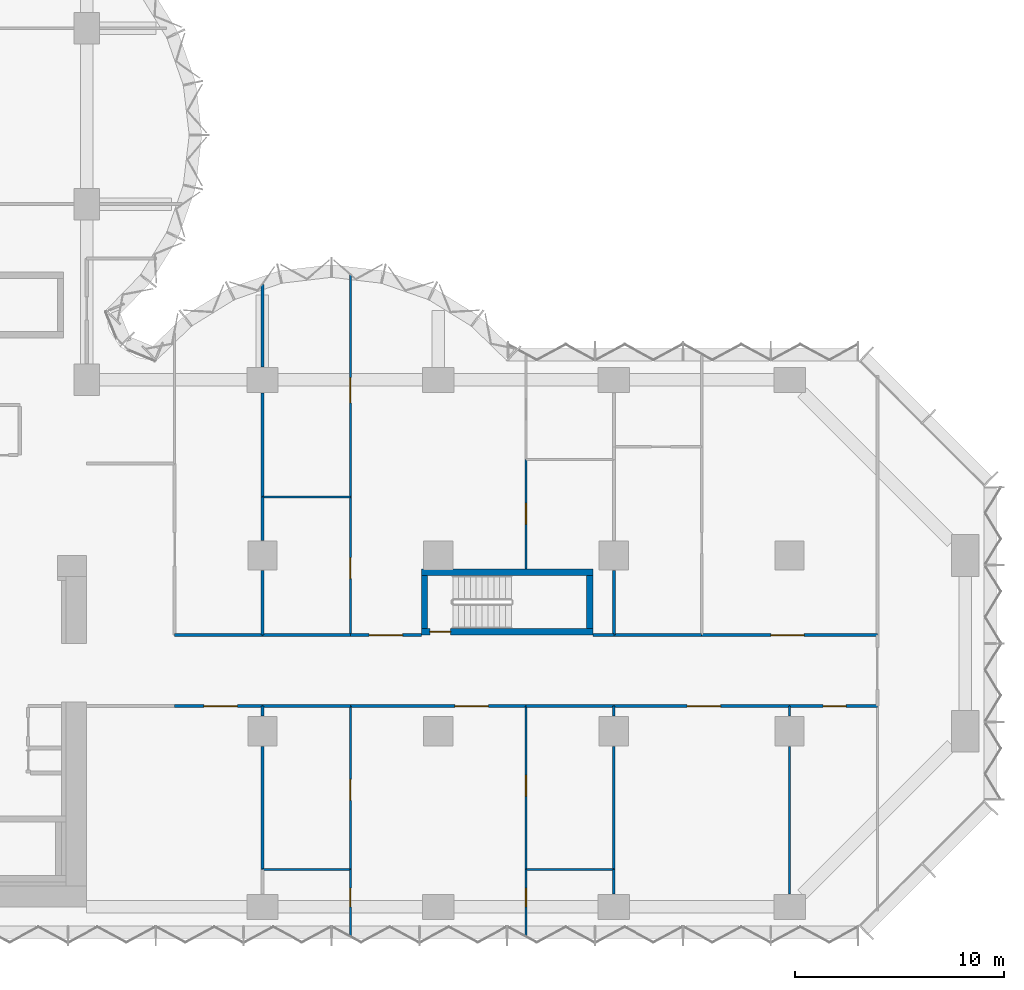
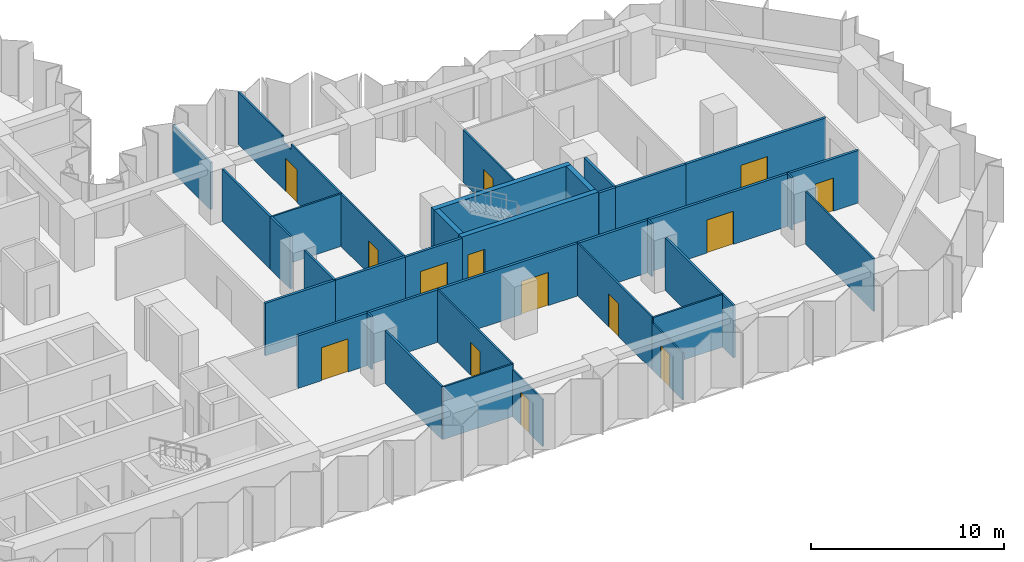
# One storey, part 10 of 15: 38 walls, 14 doors, 14 openings.
"""IFC4 building model written with IfcOpenShell, lengths in metres."""

from ifc_helpers import new_model, si_unit, direction, frame, frame_2d, origin, place, context, subcontext, project, spatial, polyline, rectangle, outline, extrude, material, layer, layer_set, type_object, element, fill, save


model = new_model("IFC4")

# Units and contexts
model_context = context("Model", 3, precision=1e-05, world=origin(), true_north=direction((0.0, 1.0)))
body_context = subcontext(model_context, "Body", "Model", "MODEL_VIEW")
ifc_project = project(units=[si_unit("LENGTHUNIT", "METRE"), si_unit("AREAUNIT", "SQUARE_METRE"), si_unit("VOLUMEUNIT", "CUBIC_METRE"), si_unit("PLANEANGLEUNIT", "RADIAN"), si_unit("MASSUNIT", "GRAM", prefix="KILO")], contexts=[model_context])

# Site, building, storey
site_placement = place(None, origin())
site = spatial("IfcSite", under=ifc_project, at=site_placement, CompositionType="ELEMENT")
building_placement = place(site_placement, origin())
building = spatial("IfcBuilding", under=site, at=building_placement, Name="Brevane Broadcast Tower", CompositionType="ELEMENT")
storey_placement = place(building_placement, frame((0.0, 0.0, 43.699951171875)))
storey = spatial("IfcBuildingStorey", under=building, at=storey_placement, Name="L08", CompositionType="ELEMENT", Elevation=43.699951171875)

# Wall, opening, door
ifc_material_1 = material(Name="Concrete C80/95", Category="concrete")
ifc_layer_1 = layer(ifc_material_1, 0.300048828125)
ifc_layer_set_1 = layer_set([ifc_layer_1], Name="Core wall 300 mm C80/95")
wall_type_1 = type_object("IfcWallType", Name="Core wall 300 mm C80/95", PredefinedType="SHEAR", material=ifc_layer_set_1)
wall_1_placement = place(storey_placement, frame((49.39990234375, 13.14990234375, 0.0), z_axis=(0.0, 0.0, 1.0), x_axis=(-1.0, 0.0, 0.0)))
wall_1 = element("IfcWall", 1, at=wall_1_placement, inside=storey, type_object=wall_type_1, Name="L08 stair wall ST-4-S", PredefinedType="SHEAR", context=body_context, shape_type="SweptSolid", body=[
    extrude(rectangle(XDim=8.199951171875, YDim=0.300048828125, at=frame_2d((4.10009765625, 0.0))), origin(), (0.0, 0.0, 1.0), 3.35009765625),
])
opening_1_placement = place(wall_1_placement, frame((6.800048828125, 0.0, 0.0)))
opening_1 = element("IfcOpeningElement", 2, at=opening_1_placement, cuts=wall_1, Name="Opening L08-K15", PredefinedType="OPENING", context=body_context, shape_type="SweptSolid", body=[
    extrude(rectangle(XDim=1.0, YDim=2.10009765625, at=frame_2d((0.5, 1.050048828125))), frame((0.0, 0.159912109375, 0.0), z_axis=(0.0, -1.0, 0.0), x_axis=(1.0, 0.0, 0.0)), (0.0, 0.0, 1.0), 0.320068359375),
])
ifc_material_2 = material(Name="Steel", Category="steel")
door_type_1 = type_object("IfcDoorType", Name="Stair door 1000 x 2100", OperationType="SINGLE_SWING_LEFT", PredefinedType="DOOR", material=ifc_material_2)
door_1_placement = place(opening_1_placement, origin())
door_1 = element("IfcDoor", 3, at=door_1_placement, inside=storey, type_object=door_type_1, Name="Door L08-K15", OperationType="SINGLE_SWING_LEFT", OverallHeight=2.10009765625, OverallWidth=1.0, PredefinedType="DOOR", context=body_context, shape_type="SweptSolid", body=[
    extrude(rectangle(XDim=1.0, YDim=2.10009765625, at=frame_2d((0.5, 1.050048828125))), frame((0.0, 0.02490234375, 0.0), z_axis=(0.0, -1.0, 0.0), x_axis=(1.0, 0.0, 0.0)), (0.0, 0.0, 1.0), 0.050048828125),
])
fill(opening_1, door_1)

# Walls
wall_2_placement = place(storey_placement, frame((41.199951171875, 16.0, 0.0), z_axis=(0.0, 0.0, 1.0), x_axis=(1.0, 0.0, 0.0)))
element("IfcWall", 4, at=wall_2_placement, inside=storey, type_object=wall_type_1, Name="L08 stair wall ST-4-N", PredefinedType="SHEAR", context=body_context, shape_type="SweptSolid", body=[
    extrude(rectangle(XDim=8.199951171875, YDim=0.300048828125, at=frame_2d((4.10009765625, 0.0))), origin(), (0.0, 0.0, 1.0), 3.35009765625),
])
for number, where, z_axis, x_axis, name in (
    (5, (41.35009765625, 13.300048828125, 0.0), (0.0, 0.0, 1.0), (0.0, 1.0, 0.0), "L08 stair wall ST-4-W"),
    (6, (49.25, 13.300048828125, 0.0), (0.0, 0.0, 1.0), (0.0, 1.0, 0.0), "L08 stair wall ST-4-E"),
):
    element("IfcWall", number, at=place(storey_placement, frame(where, z_axis=z_axis, x_axis=x_axis)), inside=storey, type_object=wall_type_1, Name=name, PredefinedType="SHEAR", context=body_context, shape_type="SweptSolid", body=[
        extrude(rectangle(XDim=2.550048828125, YDim=0.300048828125, at=frame_2d((1.27490234375, 0.0))), origin(), (0.0, 0.0, 1.0), 3.35009765625),
    ])

# Wall, opening, door
ifc_material_3 = material(Name="Gypsum board partition")
ifc_layer_2 = layer(ifc_material_3, 0.10009765625)
ifc_layer_set_2 = layer_set([ifc_layer_2], Name="PARTITION 100 STUD")
wall_type_2 = type_object("IfcWallType", Name="PARTITION 100 STUD", PredefinedType="PARTITIONING", material=ifc_layer_set_2)
wall_3_placement = place(storey_placement, frame((46.199951171875, 1.800048828125, 0.0), z_axis=(0.0, 0.0, 1.0), x_axis=(0.0, -1.0, 0.0)))
wall_3 = element("IfcWall", 7, at=wall_3_placement, inside=storey, type_object=wall_type_2, Name="Partition G01-025", PredefinedType="PARTITIONING", context=body_context, shape_type="SweptSolid", body=[
    extrude(rectangle(XDim=3.1650390625, YDim=0.10009765625, at=frame_2d((1.58251953125, 0.0))), origin(), (0.0, 0.0, 1.0), 2.97998046875),
])
opening_2_placement = place(wall_3_placement, frame((0.89990234375, 0.0, 0.0)))
opening_2 = element("IfcOpeningElement", 8, at=opening_2_placement, cuts=wall_3, Name="Opening D07-005", PredefinedType="OPENING", context=body_context, shape_type="SweptSolid", body=[
    extrude(rectangle(XDim=0.89990234375, YDim=2.10009765625, at=frame_2d((0.449951171875, 1.050048828125))), frame((0.0, 0.06005859375, 0.0), z_axis=(0.0, -1.0, 0.0), x_axis=(1.0, 0.0, 0.0)), (0.0, 0.0, 1.0), 0.1201171875),
])
ifc_material_4 = material(Name="Timber door leaf", Category="wood")
door_type_2 = type_object("IfcDoorType", Name="DOOR SINGLE 900 INTERNAL", OperationType="SINGLE_SWING_LEFT", PredefinedType="DOOR", material=ifc_material_4)
door_2_placement = place(opening_2_placement, origin())
door_2 = element("IfcDoor", 9, at=door_2_placement, inside=storey, type_object=door_type_2, Name="Door D07-005", OperationType="SINGLE_SWING_LEFT", OverallHeight=2.10009765625, OverallWidth=0.89990234375, PredefinedType="DOOR", context=body_context, shape_type="SweptSolid", body=[
    extrude(rectangle(XDim=0.89990234375, YDim=2.10009765625, at=frame_2d((0.449951171875, 1.050048828125))), frame((0.0, 0.02490234375, 0.0), z_axis=(0.0, -1.0, 0.0), x_axis=(1.0, 0.0, 0.0)), (0.0, 0.0, 1.0), 0.050048828125),
])
fill(opening_2, door_2)

wall_4_placement = place(storey_placement, frame((46.199951171875, 9.60009765625, 0.0), z_axis=(0.0, 0.0, 1.0), x_axis=(0.0, -1.0, 0.0)))
wall_4 = element("IfcWall", 10, at=wall_4_placement, inside=storey, type_object=wall_type_2, Name="Partition G01-026", PredefinedType="PARTITIONING", context=body_context, shape_type="SweptSolid", body=[
    extrude(rectangle(XDim=7.800048828125, YDim=0.10009765625, at=frame_2d((3.89990234375, 0.0))), origin(), (0.0, 0.0, 1.0), 3.330078125),
])
opening_3_placement = place(wall_4_placement, frame((3.300048828125, 0.0, 0.0)))
opening_3 = element("IfcOpeningElement", 11, at=opening_3_placement, cuts=wall_4, Name="Opening D07-006", PredefinedType="OPENING", context=body_context, shape_type="SweptSolid", body=[
    extrude(rectangle(XDim=1.0, YDim=2.10009765625, at=frame_2d((0.5, 1.050048828125))), frame((0.0, 0.06005859375, 0.0), z_axis=(0.0, -1.0, 0.0), x_axis=(1.0, 0.0, 0.0)), (0.0, 0.0, 1.0), 0.1201171875),
])
door_type_3 = type_object("IfcDoorType", Name="DOOR SINGLE 1000 INTERNAL", OperationType="SINGLE_SWING_LEFT", PredefinedType="DOOR", material=ifc_material_4)
door_3_placement = place(opening_3_placement, origin())
door_3 = element("IfcDoor", 12, at=door_3_placement, inside=storey, type_object=door_type_3, Name="Door D07-006", OperationType="SINGLE_SWING_LEFT", OverallHeight=2.10009765625, OverallWidth=1.0, PredefinedType="DOOR", context=body_context, shape_type="SweptSolid", body=[
    extrude(rectangle(XDim=1.0, YDim=2.10009765625, at=frame_2d((0.5, 1.050048828125))), frame((0.0, 0.02490234375, 0.0), z_axis=(0.0, -1.0, 0.0), x_axis=(1.0, 0.0, 0.0)), (0.0, 0.0, 1.0), 0.050048828125),
])
fill(opening_3, door_3)

wall_5_placement = place(storey_placement, frame((37.800048828125, -1.364990234375, 0.0), z_axis=(0.0, 0.0, 1.0), x_axis=(0.0, 1.0, 0.0)))
wall_5 = element("IfcWall", 13, at=wall_5_placement, inside=storey, type_object=wall_type_2, Name="Partition G01-027", PredefinedType="PARTITIONING", context=body_context, shape_type="SweptSolid", body=[
    extrude(rectangle(XDim=3.1650390625, YDim=0.10009765625, at=frame_2d((1.58251953125, 0.0))), origin(), (0.0, 0.0, 1.0), 2.97998046875),
])
opening_4_placement = place(wall_5_placement, frame((1.364990234375, 0.0, 0.0)))
opening_4 = element("IfcOpeningElement", 14, at=opening_4_placement, cuts=wall_5, Name="Opening D07-007", PredefinedType="OPENING", context=body_context, shape_type="SweptSolid", body=[
    extrude(rectangle(XDim=0.89990234375, YDim=2.10009765625, at=frame_2d((0.449951171875, 1.050048828125))), frame((0.0, 0.06005859375, 0.0), z_axis=(0.0, -1.0, 0.0), x_axis=(1.0, 0.0, 0.0)), (0.0, 0.0, 1.0), 0.1201171875),
])
door_4_placement = place(opening_4_placement, origin())
door_4 = element("IfcDoor", 15, at=door_4_placement, inside=storey, type_object=door_type_2, Name="Door D07-007", OperationType="SINGLE_SWING_LEFT", OverallHeight=2.10009765625, OverallWidth=0.89990234375, PredefinedType="DOOR", context=body_context, shape_type="SweptSolid", body=[
    extrude(rectangle(XDim=0.89990234375, YDim=2.10009765625, at=frame_2d((0.449951171875, 1.050048828125))), frame((0.0, 0.02490234375, 0.0), z_axis=(0.0, -1.0, 0.0), x_axis=(1.0, 0.0, 0.0)), (0.0, 0.0, 1.0), 0.050048828125),
])
fill(opening_4, door_4)

wall_6_placement = place(storey_placement, frame((37.800048828125, 1.800048828125, 0.0), z_axis=(0.0, 0.0, 1.0), x_axis=(0.0, 1.0, 0.0)))
wall_6 = element("IfcWall", 16, at=wall_6_placement, inside=storey, type_object=wall_type_2, Name="Partition G01-028", PredefinedType="PARTITIONING", context=body_context, shape_type="SweptSolid", body=[
    extrude(rectangle(XDim=7.800048828125, YDim=0.10009765625, at=frame_2d((3.89990234375, 0.0))), origin(), (0.0, 0.0, 1.0), 3.330078125),
])
opening_5_placement = place(wall_6_placement, frame((3.300048828125, 0.0, 0.0)))
opening_5 = element("IfcOpeningElement", 17, at=opening_5_placement, cuts=wall_6, Name="Opening D07-008", PredefinedType="OPENING", context=body_context, shape_type="SweptSolid", body=[
    extrude(rectangle(XDim=1.0, YDim=2.10009765625, at=frame_2d((0.5, 1.050048828125))), frame((0.0, 0.06005859375, 0.0), z_axis=(0.0, -1.0, 0.0), x_axis=(1.0, 0.0, 0.0)), (0.0, 0.0, 1.0), 0.1201171875),
])
door_5_placement = place(opening_5_placement, origin())
door_5 = element("IfcDoor", 18, at=door_5_placement, inside=storey, type_object=door_type_3, Name="Door D07-008", OperationType="SINGLE_SWING_LEFT", OverallHeight=2.10009765625, OverallWidth=1.0, PredefinedType="DOOR", context=body_context, shape_type="SweptSolid", body=[
    extrude(rectangle(XDim=1.0, YDim=2.10009765625, at=frame_2d((0.5, 1.050048828125))), frame((0.0, 0.02490234375, 0.0), z_axis=(0.0, -1.0, 0.0), x_axis=(1.0, 0.0, 0.0)), (0.0, 0.0, 1.0), 0.050048828125),
])
fill(opening_5, door_5)

# Walls
for number, where, z_axis, x_axis, name in (
    (19, (46.199951171875, 1.800048828125, 0.0), (0.0, 0.0, 1.0), (1.0, 0.0, 0.0), "Partition G01-029"),
    (20, (33.60009765625, 1.800048828125, 0.0), (0.0, 0.0, 1.0), (1.0, 0.0, 0.0), "Partition G01-033"),
):
    element("IfcWall", number, at=place(storey_placement, frame(where, z_axis=z_axis, x_axis=x_axis)), inside=storey, type_object=wall_type_2, Name=name, PredefinedType="PARTITIONING", context=body_context, shape_type="SweptSolid", body=[
        extrude(rectangle(XDim=4.199951171875, YDim=0.10009765625, at=frame_2d((2.10009765625, 0.0))), origin(), (0.0, 0.0, 1.0), 3.330078125),
    ])
wall_7_placement = place(storey_placement, frame((58.800048828125, 9.60009765625, 0.0), z_axis=(0.0, 0.0, 1.0), x_axis=(0.0, -1.0, 0.0)))
element("IfcWall", 21, at=wall_7_placement, inside=storey, type_object=wall_type_2, Name="Partition G01-034", PredefinedType="PARTITIONING", context=body_context, shape_type="SweptSolid", body=[
    extrude(rectangle(XDim=0.47998046875, YDim=0.10009765625, at=frame_2d((0.239990234375, 0.0))), origin(), (0.0, 0.0, 1.0), 3.330078125),
])
wall_8_placement = place(storey_placement, frame((58.800048828125, 7.679931640625, 0.0), z_axis=(0.0, 0.0, 1.0), x_axis=(0.0, -1.0, 0.0)))
element("IfcWall", 22, at=wall_8_placement, inside=storey, type_object=wall_type_2, Name="Partition G01-035", PredefinedType="PARTITIONING", context=body_context, shape_type="SweptSolid", body=[
    extrude(rectangle(XDim=7.059814453125, YDim=0.10009765625, at=frame_2d((3.52978515625, 0.0))), origin(), (0.0, 0.0, 1.0), 3.330078125),
])

# Wall, opening, door
wall_9_placement = place(storey_placement, frame((46.199951171875, 21.39990234375, 0.0), z_axis=(0.0, 0.0, 1.0), x_axis=(0.0, -1.0, 0.0)))
wall_9 = element("IfcWall", 23, at=wall_9_placement, inside=storey, type_object=wall_type_2, Name="Partition G01-040", PredefinedType="PARTITIONING", context=body_context, shape_type="SweptSolid", body=[
    extrude(rectangle(XDim=5.25, YDim=0.10009765625, at=frame_2d((2.625, 0.0))), origin(), (0.0, 0.0, 1.0), 3.330078125),
])
opening_6_placement = place(wall_9_placement, frame((2.10009765625, 0.0, 0.0)))
opening_6 = element("IfcOpeningElement", 24, at=opening_6_placement, cuts=wall_9, Name="Opening D07-013", PredefinedType="OPENING", context=body_context, shape_type="SweptSolid", body=[
    extrude(rectangle(XDim=1.0, YDim=2.10009765625, at=frame_2d((0.5, 1.050048828125))), frame((0.0, 0.06005859375, 0.0), z_axis=(0.0, -1.0, 0.0), x_axis=(1.0, 0.0, 0.0)), (0.0, 0.0, 1.0), 0.1201171875),
])
door_6_placement = place(opening_6_placement, origin())
door_6 = element("IfcDoor", 25, at=door_6_placement, inside=storey, type_object=door_type_3, Name="Door D07-013", OperationType="SINGLE_SWING_LEFT", OverallHeight=2.10009765625, OverallWidth=1.0, PredefinedType="DOOR", context=body_context, shape_type="SweptSolid", body=[
    extrude(rectangle(XDim=1.0, YDim=2.10009765625, at=frame_2d((0.5, 1.050048828125))), frame((0.0, 0.02490234375, 0.0), z_axis=(0.0, -1.0, 0.0), x_axis=(1.0, 0.0, 0.0)), (0.0, 0.0, 1.0), 0.050048828125),
])
fill(opening_6, door_6)

wall_10_placement = place(storey_placement, frame((37.800048828125, 13.0, 0.0), z_axis=(0.0, 0.0, 1.0), x_axis=(0.0, 1.0, 0.0)))
wall_10 = element("IfcWall", 26, at=wall_10_placement, inside=storey, type_object=wall_type_2, Name="Partition G01-042", PredefinedType="PARTITIONING", context=body_context, shape_type="SweptSolid", body=[
    extrude(rectangle(XDim=6.60009765625, YDim=0.10009765625, at=frame_2d((3.300048828125, 0.0))), origin(), (0.0, 0.0, 1.0), 3.330078125),
])
opening_7_placement = place(wall_10_placement, frame((2.699951171875, 0.0, 0.0)))
opening_7 = element("IfcOpeningElement", 27, at=opening_7_placement, cuts=wall_10, Name="Opening D07-015", PredefinedType="OPENING", context=body_context, shape_type="SweptSolid", body=[
    extrude(rectangle(XDim=1.0, YDim=2.10009765625, at=frame_2d((0.5, 1.050048828125))), frame((0.0, 0.06005859375, 0.0), z_axis=(0.0, -1.0, 0.0), x_axis=(1.0, 0.0, 0.0)), (0.0, 0.0, 1.0), 0.1201171875),
])
door_7_placement = place(opening_7_placement, origin())
door_7 = element("IfcDoor", 28, at=door_7_placement, inside=storey, type_object=door_type_3, Name="Door D07-015", OperationType="SINGLE_SWING_LEFT", OverallHeight=2.10009765625, OverallWidth=1.0, PredefinedType="DOOR", context=body_context, shape_type="SweptSolid", body=[
    extrude(rectangle(XDim=1.0, YDim=2.10009765625, at=frame_2d((0.5, 1.050048828125))), frame((0.0, 0.02490234375, 0.0), z_axis=(0.0, -1.0, 0.0), x_axis=(1.0, 0.0, 0.0)), (0.0, 0.0, 1.0), 0.050048828125),
])
fill(opening_7, door_7)

wall_11_placement = place(storey_placement, frame((37.800048828125, 19.60009765625, 0.0), z_axis=(0.0, 0.0, 1.0), x_axis=(0.0, 1.0, 0.0)))
wall_11 = element("IfcWall", 29, at=wall_11_placement, inside=storey, type_object=wall_type_2, Name="Partition G01-043", PredefinedType="PARTITIONING", context=body_context, shape_type="SweptSolid", body=[
    extrude(outline(polyline([(0.0, 0.0), (10.642578125, 0.0), (10.642822265625, 3.330078125), (6.050048828125, 3.330078125), (6.048095703125, 2.97998046875), (5.152099609375, 2.97998046875), (5.14990234375, 3.330078125), (0.0, 3.330078125), (0.0, 0.0)])), frame((0.0, 0.050048828125, 0.0), z_axis=(0.0, -1.0, 0.0), x_axis=(1.0, 0.0, 0.0)), (0.0, 0.0, 1.0), 0.10009765625),
])
opening_8_placement = place(wall_11_placement, frame((4.5, 0.0, 0.0)))
opening_8 = element("IfcOpeningElement", 30, at=opening_8_placement, cuts=wall_11, Name="Opening D07-016", PredefinedType="OPENING", context=body_context, shape_type="SweptSolid", body=[
    extrude(rectangle(XDim=1.199951171875, YDim=2.10009765625, at=frame_2d((0.60009765625, 1.050048828125))), frame((0.0, 0.06005859375, 0.0), z_axis=(0.0, -1.0, 0.0), x_axis=(1.0, 0.0, 0.0)), (0.0, 0.0, 1.0), 0.1201171875),
])
door_type_4 = type_object("IfcDoorType", Name="DOOR SINGLE 1200 INTERNAL", OperationType="SINGLE_SWING_LEFT", PredefinedType="DOOR", material=ifc_material_4)
door_8_placement = place(opening_8_placement, origin())
door_8 = element("IfcDoor", 31, at=door_8_placement, inside=storey, type_object=door_type_4, Name="Door D07-016", OperationType="SINGLE_SWING_LEFT", OverallHeight=2.10009765625, OverallWidth=1.199951171875, PredefinedType="DOOR", context=body_context, shape_type="SweptSolid", body=[
    extrude(rectangle(XDim=1.199951171875, YDim=2.10009765625, at=frame_2d((0.60009765625, 1.050048828125))), frame((0.0, 0.02490234375, 0.0), z_axis=(0.0, -1.0, 0.0), x_axis=(1.0, 0.0, 0.0)), (0.0, 0.0, 1.0), 0.050048828125),
])
fill(opening_8, door_8)

# Walls
wall_12_placement = place(storey_placement, frame((33.60009765625, 19.60009765625, 0.0), z_axis=(0.0, 0.0, 1.0), x_axis=(1.0, 0.0, 0.0)))
element("IfcWall", 32, at=wall_12_placement, inside=storey, type_object=wall_type_2, Name="Partition G01-049", PredefinedType="PARTITIONING", context=body_context, shape_type="SweptSolid", body=[
    extrude(rectangle(XDim=4.199951171875, YDim=0.10009765625, at=frame_2d((2.10009765625, 0.0))), origin(), (0.0, 0.0, 1.0), 3.330078125),
])
ifc_layer_3 = layer(ifc_material_3, 0.125)
ifc_layer_set_3 = layer_set([ifc_layer_3], Name="PARTITION 125 ACOUSTIC")
wall_type_3 = type_object("IfcWallType", Name="PARTITION 125 ACOUSTIC", PredefinedType="PARTITIONING", material=ifc_layer_set_3)
wall_13_placement = place(storey_placement, frame((33.60009765625, 9.60009765625, 0.0), z_axis=(0.0, 0.0, 1.0), x_axis=(0.0, -1.0, 0.0)))
element("IfcWall", 33, at=wall_13_placement, inside=storey, type_object=wall_type_3, Name="Partition G01-023", PredefinedType="PARTITIONING", context=body_context, shape_type="SweptSolid", body=[
    extrude(rectangle(XDim=0.47998046875, YDim=0.125, at=frame_2d((0.239990234375, 0.0))), origin(), (0.0, 0.0, 1.0), 3.330078125),
])
wall_14_placement = place(storey_placement, frame((33.60009765625, 7.679931640625, 0.0), z_axis=(0.0, 0.0, 1.0), x_axis=(0.0, -1.0, 0.0)))
element("IfcWall", 34, at=wall_14_placement, inside=storey, type_object=wall_type_3, Name="Partition G01-024", PredefinedType="PARTITIONING", context=body_context, shape_type="SweptSolid", body=[
    extrude(rectangle(XDim=5.8798828125, YDim=0.125, at=frame_2d((2.93994140625, 0.0))), origin(), (0.0, 0.0, 1.0), 3.330078125),
])
wall_15_placement = place(storey_placement, frame((50.39990234375, 1.800048828125, 0.0), z_axis=(0.0, 0.0, 1.0), x_axis=(0.0, -1.0, 0.0)))
element("IfcWall", 35, at=wall_15_placement, inside=storey, type_object=wall_type_3, Name="Partition G01-030", PredefinedType="PARTITIONING", context=body_context, shape_type="SweptSolid", body=[
    extrude(rectangle(XDim=1.179931640625, YDim=0.125, at=frame_2d((0.58984375, 0.0))), origin(), (0.0, 0.0, 1.0), 3.330078125),
])
wall_16_placement = place(storey_placement, frame((50.39990234375, 9.60009765625, 0.0), z_axis=(0.0, 0.0, 1.0), x_axis=(0.0, -1.0, 0.0)))
element("IfcWall", 36, at=wall_16_placement, inside=storey, type_object=wall_type_3, Name="Partition G01-031", PredefinedType="PARTITIONING", context=body_context, shape_type="SweptSolid", body=[
    extrude(rectangle(XDim=0.47998046875, YDim=0.125, at=frame_2d((0.239990234375, 0.0))), origin(), (0.0, 0.0, 1.0), 3.330078125),
])
wall_17_placement = place(storey_placement, frame((50.39990234375, 7.679931640625, 0.0), z_axis=(0.0, 0.0, 1.0), x_axis=(0.0, -1.0, 0.0)))
element("IfcWall", 37, at=wall_17_placement, inside=storey, type_object=wall_type_3, Name="Partition G01-032", PredefinedType="PARTITIONING", context=body_context, shape_type="SweptSolid", body=[
    extrude(rectangle(XDim=5.8798828125, YDim=0.125, at=frame_2d((2.93994140625, 0.0))), origin(), (0.0, 0.0, 1.0), 3.330078125),
])
wall_18_placement = place(storey_placement, frame((33.60009765625, 19.60009765625, 0.0), z_axis=(0.0, 0.0, 1.0), x_axis=(0.0, -1.0, 0.0)))
element("IfcWall", 38, at=wall_18_placement, inside=storey, type_object=wall_type_3, Name="Partition G01-036", PredefinedType="PARTITIONING", context=body_context, shape_type="SweptSolid", body=[
    extrude(rectangle(XDim=2.080078125, YDim=0.125, at=frame_2d((1.0400390625, 0.0))), origin(), (0.0, 0.0, 1.0), 3.330078125),
])
wall_19_placement = place(storey_placement, frame((33.60009765625, 16.080078125, 0.0), z_axis=(0.0, 0.0, 1.0), x_axis=(0.0, -1.0, 0.0)))
element("IfcWall", 39, at=wall_19_placement, inside=storey, type_object=wall_type_3, Name="Partition G01-037", PredefinedType="PARTITIONING", context=body_context, shape_type="SweptSolid", body=[
    extrude(rectangle(XDim=3.080078125, YDim=0.125, at=frame_2d((1.5400390625, 0.0))), origin(), (0.0, 0.0, 1.0), 3.330078125),
])
wall_20_placement = place(storey_placement, frame((33.60009765625, 29.761962890625, 0.0), z_axis=(0.0, 0.0, 1.0), x_axis=(0.0, -1.0, 0.0)))
element("IfcWall", 40, at=wall_20_placement, inside=storey, type_object=wall_type_3, Name="Partition G01-038", PredefinedType="PARTITIONING", context=body_context, shape_type="SweptSolid", body=[
    extrude(rectangle(XDim=3.94189453125, YDim=0.125, at=frame_2d((1.970947265625, 0.0))), origin(), (0.0, 0.0, 1.0), 2.97998046875),
])
wall_21_placement = place(storey_placement, frame((33.60009765625, 24.580078125, 0.0), z_axis=(0.0, 0.0, 1.0), x_axis=(0.0, -1.0, 0.0)))
element("IfcWall", 41, at=wall_21_placement, inside=storey, type_object=wall_type_3, Name="Partition G01-039", PredefinedType="PARTITIONING", context=body_context, shape_type="SweptSolid", body=[
    extrude(rectangle(XDim=4.97998046875, YDim=0.125, at=frame_2d((2.489990234375, 0.0))), origin(), (0.0, 0.0, 1.0), 3.330078125),
])

# Wall, opening, door
ifc_layer_4 = layer(ifc_material_3, 0.14990234375)
ifc_layer_set_4 = layer_set([ifc_layer_4], Name="PARTITION 150 EI 60")
wall_type_4 = type_object("IfcWallType", Name="PARTITION 150 EI 60", PredefinedType="PARTITIONING", material=ifc_layer_set_4)
wall_22_placement = place(storey_placement, frame((33.60009765625, 9.60009765625, 0.0), z_axis=(0.0, 0.0, 1.0), x_axis=(-1.0, 0.0, 0.0)))
wall_22 = element("IfcWall", 42, at=wall_22_placement, inside=storey, type_object=wall_type_4, Name="Partition G01-008", PredefinedType="PARTITIONING", context=body_context, shape_type="SweptSolid", body=[
    extrude(rectangle(XDim=4.2001953125, YDim=0.14990234375, at=frame_2d((2.10009765625, 0.0))), origin(), (0.0, 0.0, 1.0), 3.330078125),
])
opening_9_placement = place(wall_22_placement, frame((1.199951171875, 0.0, 0.0)))
opening_9 = element("IfcOpeningElement", 43, at=opening_9_placement, cuts=wall_22, Name="Opening D07-003", PredefinedType="OPENING", context=body_context, shape_type="SweptSolid", body=[
    extrude(rectangle(XDim=1.60009765625, YDim=2.10009765625, at=frame_2d((0.800048828125, 1.050048828125))), frame((0.0, 0.0849609375, 0.0), z_axis=(0.0, -1.0, 0.0), x_axis=(1.0, 0.0, 0.0)), (0.0, 0.0, 1.0), 0.169921875),
])
ifc_material_5 = material(Name="Fire-rated timber door leaf", Category="wood")
door_type_5 = type_object("IfcDoorType", Name="DOOR DOUBLE 1600 FD30S", OperationType="DOUBLE_DOOR_SINGLE_SWING", PredefinedType="DOOR", material=ifc_material_5)
door_9_placement = place(opening_9_placement, origin())
door_9 = element("IfcDoor", 44, at=door_9_placement, inside=storey, type_object=door_type_5, Name="Door D07-003", OperationType="DOUBLE_DOOR_SINGLE_SWING", OverallHeight=2.10009765625, OverallWidth=1.60009765625, PredefinedType="DOOR", context=body_context, shape_type="SweptSolid", body=[
    extrude(rectangle(XDim=1.60009765625, YDim=2.10009765625, at=frame_2d((0.800048828125, 1.050048828125))), frame((0.0, 0.02490234375, 0.0), z_axis=(0.0, -1.0, 0.0), x_axis=(1.0, 0.0, 0.0)), (0.0, 0.0, 1.0), 0.050048828125),
])
fill(opening_9, door_9)

wall_23_placement = place(storey_placement, frame((46.199951171875, 9.60009765625, 0.0), z_axis=(0.0, 0.0, 1.0), x_axis=(-1.0, 0.0, 0.0)))
wall_23 = element("IfcWall", 45, at=wall_23_placement, inside=storey, type_object=wall_type_4, Name="Partition G01-009", PredefinedType="PARTITIONING", context=body_context, shape_type="SweptSolid", body=[
    extrude(rectangle(XDim=8.39990234375, YDim=0.14990234375, at=frame_2d((4.199951171875, 0.0))), origin(), (0.0, 0.0, 1.0), 3.330078125),
])
opening_10_placement = place(wall_23_placement, frame((1.800048828125, 0.0, 0.0)))
opening_10 = element("IfcOpeningElement", 46, at=opening_10_placement, cuts=wall_23, Name="Opening D07-004", PredefinedType="OPENING", context=body_context, shape_type="SweptSolid", body=[
    extrude(rectangle(XDim=1.60009765625, YDim=2.10009765625, at=frame_2d((0.800048828125, 1.050048828125))), frame((0.0, 0.0849609375, 0.0), z_axis=(0.0, -1.0, 0.0), x_axis=(1.0, 0.0, 0.0)), (0.0, 0.0, 1.0), 0.169921875),
])
door_10_placement = place(opening_10_placement, origin())
door_10 = element("IfcDoor", 47, at=door_10_placement, inside=storey, type_object=door_type_5, Name="Door D07-004", OperationType="DOUBLE_DOOR_SINGLE_SWING", OverallHeight=2.10009765625, OverallWidth=1.60009765625, PredefinedType="DOOR", context=body_context, shape_type="SweptSolid", body=[
    extrude(rectangle(XDim=1.60009765625, YDim=2.10009765625, at=frame_2d((0.800048828125, 1.050048828125))), frame((0.0, 0.02490234375, 0.0), z_axis=(0.0, -1.0, 0.0), x_axis=(1.0, 0.0, 0.0)), (0.0, 0.0, 1.0), 0.050048828125),
])
fill(opening_10, door_10)

# Walls
for number, where, z_axis, x_axis, name in (
    (48, (50.39990234375, 9.60009765625, 0.0), (0.0, 0.0, 1.0), (-1.0, 0.0, 0.0), "Partition G01-010"),
    (49, (37.800048828125, 9.60009765625, 0.0), (0.0, 0.0, 1.0), (-1.0, 0.0, 0.0), "Partition G01-011"),
):
    element("IfcWall", number, at=place(storey_placement, frame(where, z_axis=z_axis, x_axis=x_axis)), inside=storey, type_object=wall_type_4, Name=name, PredefinedType="PARTITIONING", context=body_context, shape_type="SweptSolid", body=[
        extrude(rectangle(XDim=4.199951171875, YDim=0.14990234375, at=frame_2d((2.10009765625, 0.0))), origin(), (0.0, 0.0, 1.0), 3.330078125),
    ])

# Wall, opening, door
wall_24_placement = place(storey_placement, frame((58.800048828125, 9.60009765625, 0.0), z_axis=(0.0, 0.0, 1.0), x_axis=(-1.0, 0.0, 0.0)))
wall_24 = element("IfcWall", 50, at=wall_24_placement, inside=storey, type_object=wall_type_4, Name="Partition G01-012", PredefinedType="PARTITIONING", context=body_context, shape_type="SweptSolid", body=[
    extrude(rectangle(XDim=8.400146484375, YDim=0.14990234375, at=frame_2d((4.2001953125, 0.0))), origin(), (0.0, 0.0, 1.0), 3.330078125),
])
opening_11_placement = place(wall_24_placement, frame((3.300048828125, 0.0, 0.0)))
opening_11 = element("IfcOpeningElement", 51, at=opening_11_placement, cuts=wall_24, Name="Opening D07-009", PredefinedType="OPENING", context=body_context, shape_type="SweptSolid", body=[
    extrude(rectangle(XDim=1.60009765625, YDim=2.10009765625, at=frame_2d((0.800048828125, 1.050048828125))), frame((0.0, 0.0849609375, 0.0), z_axis=(0.0, -1.0, 0.0), x_axis=(1.0, 0.0, 0.0)), (0.0, 0.0, 1.0), 0.169921875),
])
door_11_placement = place(opening_11_placement, origin())
door_11 = element("IfcDoor", 52, at=door_11_placement, inside=storey, type_object=door_type_5, Name="Door D07-009", OperationType="DOUBLE_DOOR_SINGLE_SWING", OverallHeight=2.10009765625, OverallWidth=1.60009765625, PredefinedType="DOOR", context=body_context, shape_type="SweptSolid", body=[
    extrude(rectangle(XDim=1.60009765625, YDim=2.10009765625, at=frame_2d((0.800048828125, 1.050048828125))), frame((0.0, 0.02490234375, 0.0), z_axis=(0.0, -1.0, 0.0), x_axis=(1.0, 0.0, 0.0)), (0.0, 0.0, 1.0), 0.050048828125),
])
fill(opening_11, door_11)

wall_25_placement = place(storey_placement, frame((63.0, 9.60009765625, 0.0), z_axis=(0.0, 0.0, 1.0), x_axis=(-1.0, 0.0, 0.0)))
wall_25 = element("IfcWall", 53, at=wall_25_placement, inside=storey, type_object=wall_type_4, Name="Partition G01-013", PredefinedType="PARTITIONING", context=body_context, shape_type="SweptSolid", body=[
    extrude(rectangle(XDim=4.199951171875, YDim=0.14990234375, at=frame_2d((2.10009765625, 0.0))), origin(), (0.0, 0.0, 1.0), 3.330078125),
])
opening_12_placement = place(wall_25_placement, frame((1.5, 0.0, 0.0)))
opening_12 = element("IfcOpeningElement", 54, at=opening_12_placement, cuts=wall_25, Name="Opening D07-010", PredefinedType="OPENING", context=body_context, shape_type="SweptSolid", body=[
    extrude(rectangle(XDim=1.10009765625, YDim=2.10009765625, at=frame_2d((0.550048828125, 1.050048828125))), frame((0.0, 0.0849609375, 0.0), z_axis=(0.0, -1.0, 0.0), x_axis=(1.0, 0.0, 0.0)), (0.0, 0.0, 1.0), 0.169921875),
])
door_type_6 = type_object("IfcDoorType", Name="DOOR SINGLE 1100 FD30S", OperationType="SINGLE_SWING_LEFT", PredefinedType="DOOR", material=ifc_material_5)
door_12_placement = place(opening_12_placement, origin())
door_12 = element("IfcDoor", 55, at=door_12_placement, inside=storey, type_object=door_type_6, Name="Door D07-010", OperationType="SINGLE_SWING_LEFT", OverallHeight=2.10009765625, OverallWidth=1.10009765625, PredefinedType="DOOR", context=body_context, shape_type="SweptSolid", body=[
    extrude(rectangle(XDim=1.10009765625, YDim=2.10009765625, at=frame_2d((0.550048828125, 1.050048828125))), frame((0.0, 0.02490234375, 0.0), z_axis=(0.0, -1.0, 0.0), x_axis=(1.0, 0.0, 0.0)), (0.0, 0.0, 1.0), 0.050048828125),
])
fill(opening_12, door_12)

# Wall
wall_26_placement = place(storey_placement, frame((29.39990234375, 13.0, 0.0), z_axis=(0.0, 0.0, 1.0), x_axis=(1.0, 0.0, 0.0)))
element("IfcWall", 56, at=wall_26_placement, inside=storey, type_object=wall_type_4, Name="Partition G01-014", PredefinedType="PARTITIONING", context=body_context, shape_type="SweptSolid", body=[
    extrude(rectangle(XDim=4.2001953125, YDim=0.14990234375, at=frame_2d((2.10009765625, 0.0))), origin(), (0.0, 0.0, 1.0), 3.330078125),
])

# Wall, opening, door
wall_27_placement = place(storey_placement, frame((37.800048828125, 13.0, 0.0), z_axis=(0.0, 0.0, 1.0), x_axis=(1.0, 0.0, 0.0)))
wall_27 = element("IfcWall", 57, at=wall_27_placement, inside=storey, type_object=wall_type_4, Name="Partition G01-015", PredefinedType="PARTITIONING", context=body_context, shape_type="SweptSolid", body=[
    extrude(rectangle(XDim=3.39990234375, YDim=0.14990234375, at=frame_2d((1.699951171875, 0.0))), origin(), (0.0, 0.0, 1.0), 3.330078125),
])
opening_13_placement = place(wall_27_placement, frame((0.89990234375, 0.0, 0.0)))
opening_13 = element("IfcOpeningElement", 58, at=opening_13_placement, cuts=wall_27, Name="Opening D07-012", PredefinedType="OPENING", context=body_context, shape_type="SweptSolid", body=[
    extrude(rectangle(XDim=1.60009765625, YDim=2.10009765625, at=frame_2d((0.800048828125, 1.050048828125))), frame((0.0, 0.0849609375, 0.0), z_axis=(0.0, -1.0, 0.0), x_axis=(1.0, 0.0, 0.0)), (0.0, 0.0, 1.0), 0.169921875),
])
door_13_placement = place(opening_13_placement, origin())
door_13 = element("IfcDoor", 59, at=door_13_placement, inside=storey, type_object=door_type_5, Name="Door D07-012", OperationType="DOUBLE_DOOR_SINGLE_SWING", OverallHeight=2.10009765625, OverallWidth=1.60009765625, PredefinedType="DOOR", context=body_context, shape_type="SweptSolid", body=[
    extrude(rectangle(XDim=1.60009765625, YDim=2.10009765625, at=frame_2d((0.800048828125, 1.050048828125))), frame((0.0, 0.02490234375, 0.0), z_axis=(0.0, -1.0, 0.0), x_axis=(1.0, 0.0, 0.0)), (0.0, 0.0, 1.0), 0.050048828125),
])
fill(opening_13, door_13)

# Walls
wall_28_placement = place(storey_placement, frame((49.39990234375, 13.0, 0.0), z_axis=(0.0, 0.0, 1.0), x_axis=(1.0, 0.0, 0.0)))
element("IfcWall", 60, at=wall_28_placement, inside=storey, type_object=wall_type_4, Name="Partition G01-016", PredefinedType="PARTITIONING", context=body_context, shape_type="SweptSolid", body=[
    extrude(rectangle(XDim=1.0, YDim=0.14990234375, at=frame_2d((0.5, 0.0))), origin(), (0.0, 0.0, 1.0), 3.330078125),
])
wall_29_placement = place(storey_placement, frame((33.60009765625, 13.0, 0.0), z_axis=(0.0, 0.0, 1.0), x_axis=(1.0, 0.0, 0.0)))
element("IfcWall", 61, at=wall_29_placement, inside=storey, type_object=wall_type_4, Name="Partition G01-017", PredefinedType="PARTITIONING", context=body_context, shape_type="SweptSolid", body=[
    extrude(rectangle(XDim=4.199951171875, YDim=0.14990234375, at=frame_2d((2.10009765625, 0.0))), origin(), (0.0, 0.0, 1.0), 3.330078125),
])

# Wall, opening, door
wall_30_placement = place(storey_placement, frame((54.60009765625, 13.0, 0.0), z_axis=(0.0, 0.0, 1.0), x_axis=(1.0, 0.0, 0.0)))
wall_30 = element("IfcWall", 62, at=wall_30_placement, inside=storey, type_object=wall_type_4, Name="Partition G01-018", PredefinedType="PARTITIONING", context=body_context, shape_type="SweptSolid", body=[
    extrude(rectangle(XDim=8.39990234375, YDim=0.14990234375, at=frame_2d((4.199951171875, 0.0))), origin(), (0.0, 0.0, 1.0), 3.330078125),
])
opening_14_placement = place(wall_30_placement, frame((3.300048828125, 0.0, 0.0)))
opening_14 = element("IfcOpeningElement", 63, at=opening_14_placement, cuts=wall_30, Name="Opening D07-017", PredefinedType="OPENING", context=body_context, shape_type="SweptSolid", body=[
    extrude(rectangle(XDim=1.60009765625, YDim=2.10009765625, at=frame_2d((0.800048828125, 1.050048828125))), frame((0.0, 0.0849609375, 0.0), z_axis=(0.0, -1.0, 0.0), x_axis=(1.0, 0.0, 0.0)), (0.0, 0.0, 1.0), 0.169921875),
])
door_14_placement = place(opening_14_placement, origin())
door_14 = element("IfcDoor", 64, at=door_14_placement, inside=storey, type_object=door_type_5, Name="Door D07-017", OperationType="DOUBLE_DOOR_SINGLE_SWING", OverallHeight=2.10009765625, OverallWidth=1.60009765625, PredefinedType="DOOR", context=body_context, shape_type="SweptSolid", body=[
    extrude(rectangle(XDim=1.60009765625, YDim=2.10009765625, at=frame_2d((0.800048828125, 1.050048828125))), frame((0.0, 0.02490234375, 0.0), z_axis=(0.0, -1.0, 0.0), x_axis=(1.0, 0.0, 0.0)), (0.0, 0.0, 1.0), 0.050048828125),
])
fill(opening_14, door_14)

# Walls
wall_31_placement = place(storey_placement, frame((50.39990234375, 13.0, 0.0), z_axis=(0.0, 0.0, 1.0), x_axis=(1.0, 0.0, 0.0)))
element("IfcWall", 65, at=wall_31_placement, inside=storey, type_object=wall_type_4, Name="Partition G01-019", PredefinedType="PARTITIONING", context=body_context, shape_type="SweptSolid", body=[
    extrude(rectangle(XDim=4.2001953125, YDim=0.14990234375, at=frame_2d((2.10009765625, 0.0))), origin(), (0.0, 0.0, 1.0), 3.330078125),
])
wall_32_placement = place(storey_placement, frame((50.39990234375, 16.080078125, 0.0), z_axis=(0.0, 0.0, 1.0), x_axis=(0.0, -1.0, 0.0)))
element("IfcWall", 66, at=wall_32_placement, inside=storey, type_object=wall_type_4, Name="Partition G01-046", PredefinedType="PARTITIONING", context=body_context, shape_type="SweptSolid", body=[
    extrude(rectangle(XDim=3.080078125, YDim=0.14990234375, at=frame_2d((1.5400390625, 0.0))), origin(), (0.0, 0.0, 1.0), 3.330078125),
])

save(model, "model.ifc")
